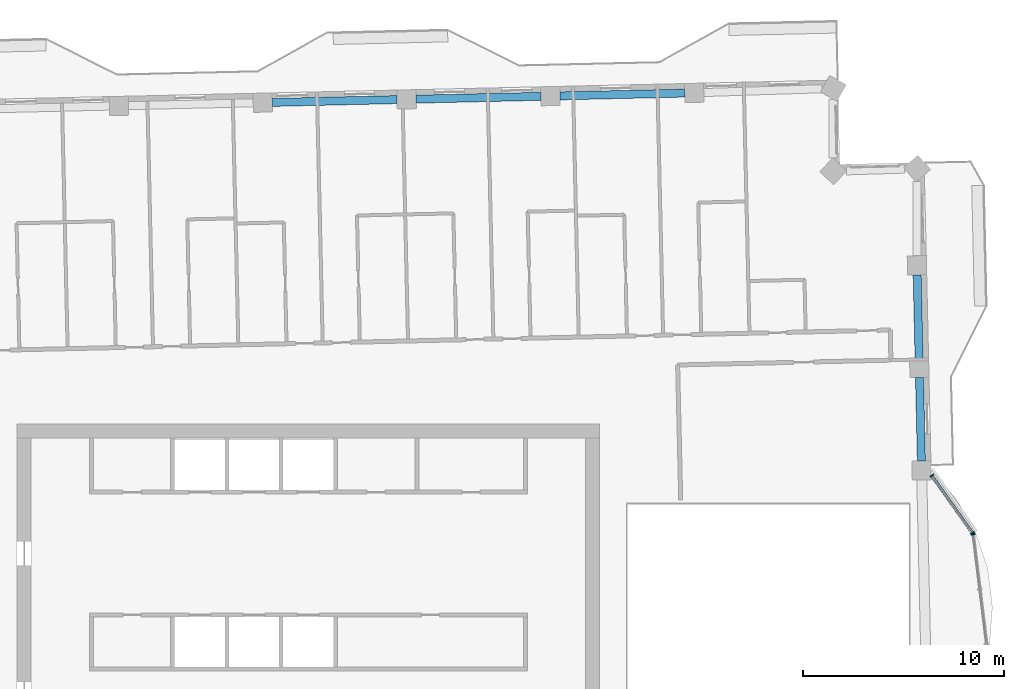
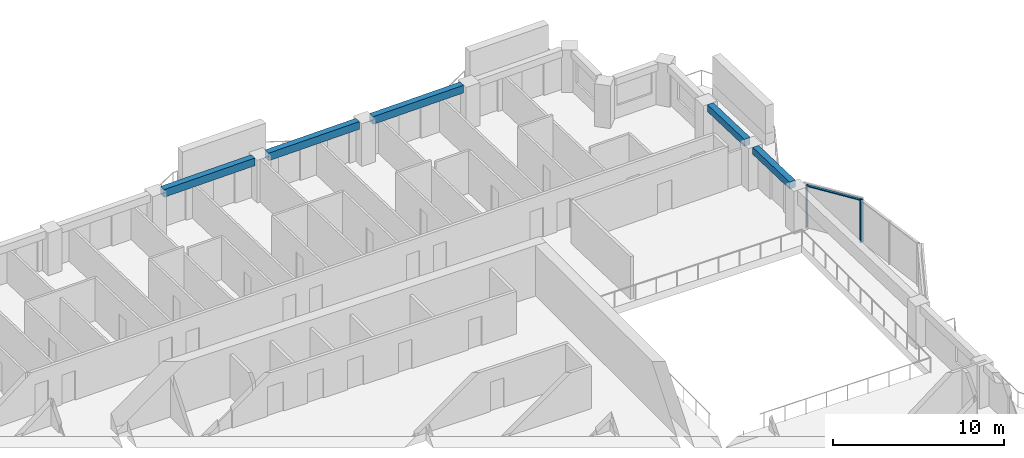
# One storey, part 4 of 20: 5 beams, 4 members, 2 elements without a shape of their own.
"""IFC4 building model written with IfcOpenShell, lengths in metres."""

from ifc_helpers import new_model, si_unit, direction, frame, origin, origin_2d, place, context, subcontext, project, spatial, rectangle, extrude, material, material_profile, profile_set, type_object, element, aggregate, save


model = new_model("IFC4")

# Units and contexts
model_context = context("Model", 3, precision=1e-05, world=origin(), true_north=direction((0.0, 1.0)))
body_context = subcontext(model_context, "Body", "Model", "MODEL_VIEW")
ifc_project = project(units=[si_unit("LENGTHUNIT", "METRE"), si_unit("AREAUNIT", "SQUARE_METRE"), si_unit("VOLUMEUNIT", "CUBIC_METRE"), si_unit("PLANEANGLEUNIT", "RADIAN"), si_unit("MASSUNIT", "GRAM", prefix="KILO")], contexts=[model_context])

# Site, building, storey
site_placement = place(None, origin())
site = spatial("IfcSite", under=ifc_project, at=site_placement, CompositionType="ELEMENT")
building_placement = place(site_placement, origin())
building = spatial("IfcBuilding", under=site, at=building_placement, Name="Mangrove Gate Tower", CompositionType="ELEMENT")
storey_placement = place(building_placement, frame((0.0, 0.0, 294.300048828125)))
storey = spatial("IfcBuildingStorey", under=building, at=storey_placement, Name="L75", CompositionType="ELEMENT", Elevation=294.300048828125)

# Curtain wall, member
ifc_material_1 = material(Name="Aluminium and glass curtain wall", Category="aluminium")
curtain_wall_type = type_object("IfcCurtainWallType", Name="Atrium garden-court glazing wall", PredefinedType="NOTDEFINED", material=ifc_material_1)
curtain_wall_1_placement = place(storey_placement, origin())
curtain_wall_1 = element("IfcCurtainWall", 1, at=curtain_wall_1_placement, inside=storey, type_object=curtain_wall_type, Name="Atrium garden-court glazing E1f2", PredefinedType="NOTDEFINED")
ifc_material_2 = material(Name="Aluminium alloy 6063-T6", Category="aluminium")
ifc_material_profile_1 = material_profile(ifc_material_2, rectangle(XDim=0.070068359375, YDim=0.199951171875, at=origin_2d()))
ifc_profile_set_1 = profile_set([ifc_material_profile_1], Name="Aluminium alloy 6063-T6")
member_type_1 = type_object("IfcMemberType", Name="Atrium garden-court glazing mullion 70x200", PredefinedType="MULLION", material=ifc_profile_set_1)
member_1_placement = place(storey_placement, frame((33.087158203125, 6.0029296875, 0.0), z_axis=(0.0, 0.0, 1.0), x_axis=(-0.122172285885, 0.992508908051, 0.0)))
member_1 = element("IfcMember", 2, at=member_1_placement, type_object=member_type_1, Name="CWA mullion 3", PredefinedType="MULLION", context=body_context, shape_type="SweptSolid", body=[
    extrude(rectangle(XDim=0.070068359375, YDim=0.199951171875, at=origin_2d()), origin(), (0.0, 0.0, 1.0), 3.050048828125),
])
aggregate(curtain_wall_1, [member_1])

# Curtain wall, members
curtain_wall_2_placement = place(storey_placement, origin())
curtain_wall_2 = element("IfcCurtainWall", 3, at=curtain_wall_2_placement, inside=storey, type_object=curtain_wall_type, Name="Atrium garden-court glazing E1f3", PredefinedType="NOTDEFINED")
member_2_placement = place(storey_placement, frame((33.062744140625, 6.06640625, 0.0), z_axis=(0.0, 0.0, 1.0), x_axis=(-0.578135022674, 0.815941110349, 0.0)))
member_2 = element("IfcMember", 4, at=member_2_placement, type_object=member_type_1, Name="CWA mullion 1", PredefinedType="MULLION", context=body_context, shape_type="SweptSolid", body=[
    extrude(rectangle(XDim=0.070068359375, YDim=0.199951171875, at=origin_2d()), origin(), (0.0, 0.0, 1.0), 3.050048828125),
])
member_3_placement = place(storey_placement, frame((31.039794921875, 8.92138671875, 0.0), z_axis=(0.0, 0.0, 1.0), x_axis=(-0.578135022674, 0.815941110349, 0.0)))
member_3 = element("IfcMember", 5, at=member_3_placement, type_object=member_type_1, Name="CWA mullion 2", PredefinedType="MULLION", context=body_context, shape_type="SweptSolid", body=[
    extrude(rectangle(XDim=0.070068359375, YDim=0.199951171875, at=origin_2d()), origin(), (0.0, 0.0, 1.0), 3.050048828125),
])
ifc_material_3 = material(Name="Aluminium alloy 6063-T6", Category="aluminium")
ifc_material_profile_2 = material_profile(ifc_material_3, rectangle(XDim=0.070068359375, YDim=0.14990234375, at=origin_2d()))
ifc_profile_set_2 = profile_set([ifc_material_profile_2], Name="Aluminium alloy 6063-T6")
member_type_2 = type_object("IfcMemberType", Name="Atrium garden-court glazing transom 70x150", PredefinedType="USERDEFINED", material=ifc_profile_set_2)
member_4_placement = place(storey_placement, frame((33.04248046875, 6.094970703125, 3.014892578125), z_axis=(-0.578135862494, 0.815940515294, 0.0), x_axis=(0.0, 0.0, 1.0)))
member_4 = element("IfcMember", 6, at=member_4_placement, type_object=member_type_2, Name="CWA transom 1.2", ObjectType="TRANSOM", PredefinedType="USERDEFINED", context=body_context, shape_type="SweptSolid", body=[
    extrude(rectangle(XDim=0.070068359375, YDim=0.14990234375, at=origin_2d()), origin(), (0.0, 0.0, 1.0), 3.428955078125),
])
aggregate(curtain_wall_2, [member_2, member_3, member_4])

# Beams
ifc_material_4 = material(Name="Concrete C50/60", Category="concrete")
ifc_material_profile_3 = material_profile(ifc_material_4, rectangle(XDim=0.39990234375, YDim=0.5, at=origin_2d()))
ifc_profile_set_3 = profile_set([ifc_material_profile_3], Name="Concrete C50/60")
beam_type_1 = type_object("IfcBeamType", Name="Edge beam RC 400x500 C50/60", PredefinedType="BEAM", material=ifc_profile_set_3)
for number, where, z_axis, x_axis, name in (
    (7, (30.518310546875, 9.658203125, 2.800048828125), (-0.022486678156, 0.999747142684, 0.0), (-0.999747142684, -0.022486678156, 0.0), "Edge beam L75 17"),
    (8, (30.4033203125, 14.76513671875, 2.800048828125), (-0.022721405353, 0.999741835545, 0.0), (-0.999741835545, -0.022721405353, 0.0), "Edge beam L75 18"),
):
    element("IfcBeam", number, at=place(storey_placement, frame(where, z_axis=z_axis, x_axis=x_axis)), inside=storey, type_object=beam_type_1, Name=name, PredefinedType="BEAM", context=body_context, shape_type="SweptSolid", body=[
        extrude(rectangle(XDim=0.39990234375, YDim=0.5, at=origin_2d()), origin(), (0.0, 0.0, 1.0), 4.158203125),
    ])
ifc_material_5 = material(Name="Concrete C50/60", Category="concrete")
ifc_material_profile_4 = material_profile(ifc_material_5, rectangle(XDim=0.39990234375, YDim=0.550048828125, at=origin_2d()))
ifc_profile_set_4 = profile_set([ifc_material_profile_4], Name="Concrete C50/60")
beam_type_2 = type_object("IfcBeamType", Name="Edge beam RC 400x550 C50/60", PredefinedType="BEAM", material=ifc_profile_set_4)
beam_1_placement = place(storey_placement, frame((18.73779296875, 27.970458984375, 2.77490234375), z_axis=(-0.999743719116, -0.022638376468, 0.0), x_axis=(0.022638376468, -0.999743719116, 0.0)))
element("IfcBeam", 9, at=beam_1_placement, inside=storey, type_object=beam_type_2, Name="Edge beam L75 23", PredefinedType="BEAM", context=body_context, shape_type="SweptSolid", body=[
    extrude(rectangle(XDim=0.39990234375, YDim=0.550048828125, at=origin_2d()), origin(), (0.0, 0.0, 1.0), 6.2119140625),
])
beam_2_placement = place(storey_placement, frame((11.577880859375, 27.808349609375, 2.77490234375), z_axis=(-0.999741125002, -0.022752647749, 0.0), x_axis=(0.022752647749, -0.999741125002, 0.0)))
element("IfcBeam", 10, at=beam_2_placement, inside=storey, type_object=beam_type_2, Name="Edge beam L75 24", PredefinedType="BEAM", context=body_context, shape_type="SweptSolid", body=[
    extrude(rectangle(XDim=0.39990234375, YDim=0.550048828125, at=origin_2d()), origin(), (0.0, 0.0, 1.0), 6.212890625),
])
beam_3_placement = place(storey_placement, frame((4.4169921875, 27.645263671875, 2.77490234375), z_axis=(-0.999744627938, -0.022598205876, 0.0), x_axis=(0.022598205876, -0.999744627938, 0.0)))
element("IfcBeam", 11, at=beam_3_placement, inside=storey, type_object=beam_type_2, Name="Edge beam L75 25", PredefinedType="BEAM", context=body_context, shape_type="SweptSolid", body=[
    extrude(rectangle(XDim=0.39990234375, YDim=0.550048828125, at=origin_2d()), origin(), (0.0, 0.0, 1.0), 6.2119140625),
])

save(model, "model.ifc")
